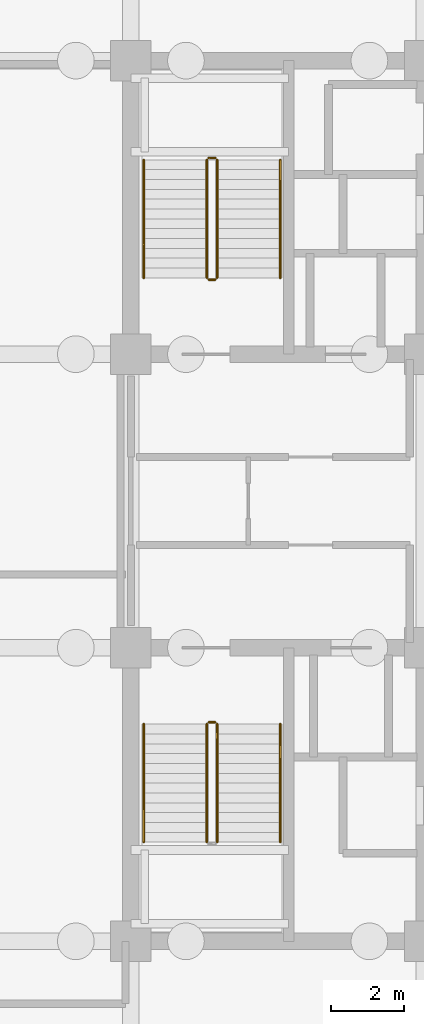
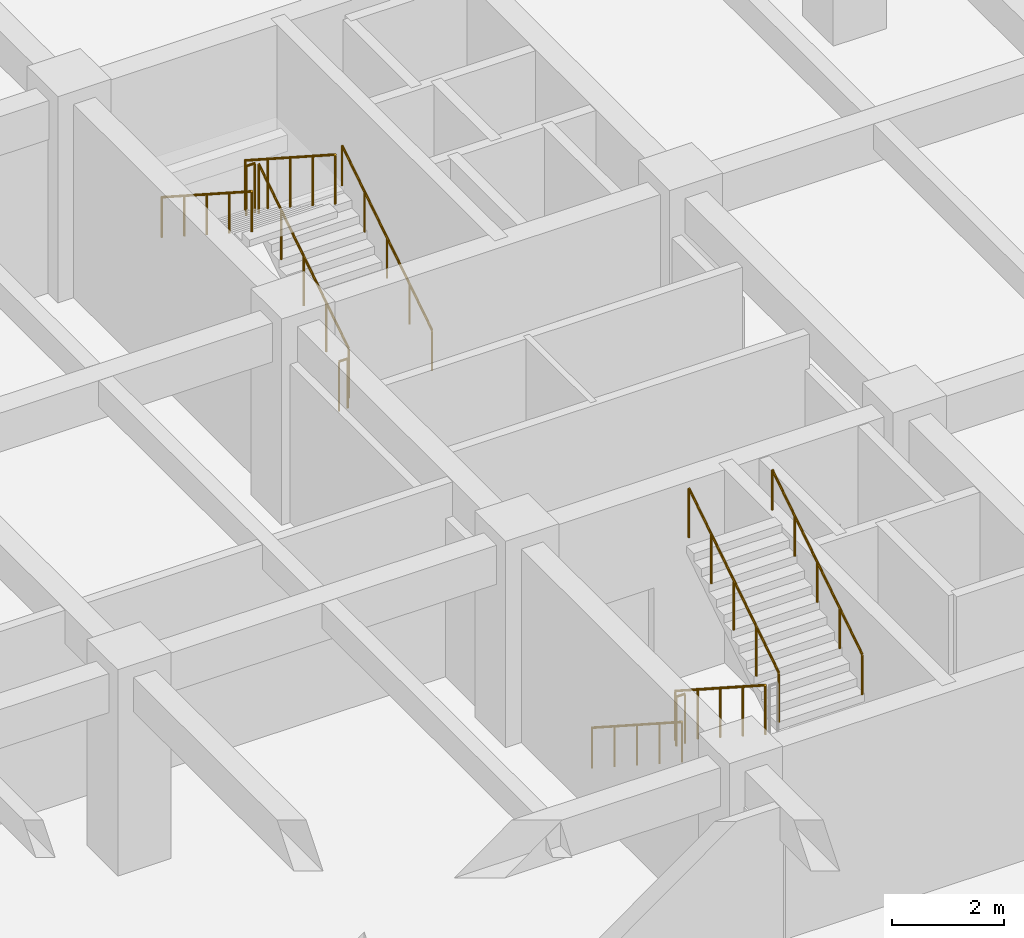
# One storey, part 13 of 15: 11 railings.
"""IFC4 building model written with IfcOpenShell, lengths in metres."""

from ifc_helpers import new_model, si_unit, direction, frame, origin, origin_2d, place, context, subcontext, project, spatial, circle, extrude, material, type_object, element, save


model = new_model("IFC4")

# Units and contexts
model_context = context("Model", 3, precision=1e-05, world=origin(), true_north=direction((0.0, 1.0)))
body_context = subcontext(model_context, "Body", "Model", "MODEL_VIEW")
ifc_project = project(units=[si_unit("LENGTHUNIT", "METRE"), si_unit("AREAUNIT", "SQUARE_METRE"), si_unit("VOLUMEUNIT", "CUBIC_METRE"), si_unit("PLANEANGLEUNIT", "RADIAN"), si_unit("MASSUNIT", "GRAM", prefix="KILO")], contexts=[model_context])

# Site, building, storey
site_placement = place(None, origin())
site = spatial("IfcSite", under=ifc_project, at=site_placement, CompositionType="ELEMENT")
building_placement = place(site_placement, origin())
building = spatial("IfcBuilding", under=site, at=building_placement, Name="Canggui Botanical Conservatory", CompositionType="ELEMENT")
storey_placement = place(building_placement, frame((0.0, 0.0, -9.0)))
storey = spatial("IfcBuildingStorey", under=building, at=storey_placement, Name="B2", CompositionType="ELEMENT", Elevation=-9.0)

# Railings
ifc_material = material(Name="Stainless Steel 304", Category="steel")
railing_type_1 = type_object("IfcRailingType", Name="RAIL-GUARD-1100", PredefinedType="BALUSTRADE", material=ifc_material)
railing_1_placement = place(storey_placement, frame((156.070068359375, 47.919921875, 0.173095703125)))
element("IfcRailing", 1, at=railing_1_placement, inside=storey, type_object=railing_type_1, Name="B2 ST-T1 stair guard 1", PredefinedType="BALUSTRADE", context=body_context, shape_type="SweptSolid", body=[
    extrude(circle(Radius=0.02392578125, at=origin_2d()), frame((0.0, 0.0, 1.076171875), z_axis=(0.0, -0.840036955699, 0.542529181759), x_axis=(1.0, 0.0, 0.0)), (0.0, 0.0, 1.0), 3.828125),
    extrude(circle(Radius=0.02099609375, at=origin_2d()), origin(), (0.0, 0.0, 1.0), 1.052001953125),
    extrude(circle(Radius=0.02099609375, at=origin_2d()), frame((0.0, -0.803955078125, 0.519287109375)), (0.0, 0.0, 1.0), 1.052001953125),
    extrude(circle(Radius=0.02099609375, at=origin_2d()), frame((0.0, -1.60791015625, 1.03857421875)), (0.0, 0.0, 1.0), 1.052001953125),
    extrude(circle(Radius=0.02099609375, at=origin_2d()), frame((0.0, -2.411865234375, 1.5576171875)), (0.0, 0.0, 1.0), 1.052001953125),
    extrude(circle(Radius=0.02099609375, at=origin_2d()), frame((0.0, -3.2158203125, 2.076904296875)), (0.0, 0.0, 1.0), 1.052001953125),
])
railing_2_placement = place(storey_placement, frame((156.35009765625, 44.7041015625, 2.423095703125)))
element("IfcRailing", 2, at=railing_2_placement, inside=storey, type_object=railing_type_1, Name="B2 ST-T1 stair guard 3", PredefinedType="BALUSTRADE", context=body_context, shape_type="SweptSolid", body=[
    extrude(circle(Radius=0.02392578125, at=origin_2d()), frame((0.0, 0.0, 1.076171875), z_axis=(0.0, 0.840036955699, 0.542529181759), x_axis=(-1.0, 0.0, 0.0)), (0.0, 0.0, 1.0), 3.828125),
    extrude(circle(Radius=0.02099609375, at=origin_2d()), origin(), (0.0, 0.0, 1.0), 1.052001953125),
    extrude(circle(Radius=0.02099609375, at=origin_2d()), frame((0.0, 0.803955078125, 0.519287109375)), (0.0, 0.0, 1.0), 1.052001953125),
    extrude(circle(Radius=0.02099609375, at=origin_2d()), frame((0.0, 1.60791015625, 1.03857421875)), (0.0, 0.0, 1.0), 1.052001953125),
    extrude(circle(Radius=0.02099609375, at=origin_2d()), frame((0.0, 2.411865234375, 1.5576171875)), (0.0, 0.0, 1.0), 1.052001953125),
    extrude(circle(Radius=0.02099609375, at=origin_2d()), frame((0.0, 3.2158203125, 2.076904296875)), (0.0, 0.0, 1.0), 1.052001953125),
])
railing_3_placement = place(storey_placement, frame((156.1201171875, 47.969970703125, 0.0)))
element("IfcRailing", 3, at=railing_3_placement, inside=storey, type_object=railing_type_1, Name="B2 ST-T1 stair guard 4", PredefinedType="BALUSTRADE", context=body_context, shape_type="SweptSolid", body=[
    extrude(circle(Radius=0.02392578125, at=origin_2d()), frame((0.0, 0.0, 1.076171875), z_axis=(1.0, 0.0, 0.0), x_axis=(0.0, 1.0, 0.0)), (0.0, 0.0, 1.0), 0.179931640625),
    extrude(circle(Radius=0.02099609375, at=origin_2d()), origin(), (0.0, 0.0, 1.0), 1.052001953125),
    extrude(circle(Radius=0.02099609375, at=origin_2d()), frame((0.179931640625, 0.0, 0.0)), (0.0, 0.0, 1.0), 1.052001953125),
])
railing_4_placement = place(storey_placement, frame((156.35009765625, 60.080078125, 0.173095703125)))
element("IfcRailing", 4, at=railing_4_placement, inside=storey, type_object=railing_type_1, Name="B2 ST-T2 stair guard 1", PredefinedType="BALUSTRADE", context=body_context, shape_type="SweptSolid", body=[
    extrude(circle(Radius=0.02392578125, at=origin_2d()), frame((0.0, 0.0, 1.076171875), z_axis=(0.0, 0.840036955699, 0.542529181759), x_axis=(-1.0, 0.0, 0.0)), (0.0, 0.0, 1.0), 3.828125),
    extrude(circle(Radius=0.02099609375, at=origin_2d()), origin(), (0.0, 0.0, 1.0), 1.052001953125),
    extrude(circle(Radius=0.02099609375, at=origin_2d()), frame((0.0, 0.803955078125, 0.519287109375)), (0.0, 0.0, 1.0), 1.052001953125),
    extrude(circle(Radius=0.02099609375, at=origin_2d()), frame((0.0, 1.60791015625, 1.03857421875)), (0.0, 0.0, 1.0), 1.052001953125),
    extrude(circle(Radius=0.02099609375, at=origin_2d()), frame((0.0, 2.411865234375, 1.5576171875)), (0.0, 0.0, 1.0), 1.052001953125),
    extrude(circle(Radius=0.02099609375, at=origin_2d()), frame((0.0, 3.2158203125, 2.076904296875)), (0.0, 0.0, 1.0), 1.052001953125),
])
railing_5_placement = place(storey_placement, frame((156.300048828125, 63.345947265625, 2.25)))
element("IfcRailing", 5, at=railing_5_placement, inside=storey, type_object=railing_type_1, Name="B2 ST-T2 stair guard 2", PredefinedType="BALUSTRADE", context=body_context, shape_type="SweptSolid", body=[
    extrude(circle(Radius=0.02392578125, at=origin_2d()), frame((0.0, 0.0, 1.076171875), z_axis=(-1.0, 0.0, 0.0), x_axis=(0.0, -1.0, 0.0)), (0.0, 0.0, 1.0), 0.179931640625),
    extrude(circle(Radius=0.02099609375, at=origin_2d()), origin(), (0.0, 0.0, 1.0), 1.052001953125),
    extrude(circle(Radius=0.02099609375, at=origin_2d()), frame((-0.179931640625, 0.0, 0.0)), (0.0, 0.0, 1.0), 1.052001953125),
])
railing_6_placement = place(storey_placement, frame((156.070068359375, 63.2958984375, 2.423095703125)))
element("IfcRailing", 6, at=railing_6_placement, inside=storey, type_object=railing_type_1, Name="B2 ST-T2 stair guard 3", PredefinedType="BALUSTRADE", context=body_context, shape_type="SweptSolid", body=[
    extrude(circle(Radius=0.02392578125, at=origin_2d()), frame((0.0, 0.0, 1.076171875), z_axis=(0.0, -0.840036955699, 0.542529181759), x_axis=(1.0, 0.0, 0.0)), (0.0, 0.0, 1.0), 3.828125),
    extrude(circle(Radius=0.02099609375, at=origin_2d()), origin(), (0.0, 0.0, 1.0), 1.052001953125),
    extrude(circle(Radius=0.02099609375, at=origin_2d()), frame((0.0, -0.803955078125, 0.519287109375)), (0.0, 0.0, 1.0), 1.052001953125),
    extrude(circle(Radius=0.02099609375, at=origin_2d()), frame((0.0, -1.60791015625, 1.03857421875)), (0.0, 0.0, 1.0), 1.052001953125),
    extrude(circle(Radius=0.02099609375, at=origin_2d()), frame((0.0, -2.411865234375, 1.5576171875)), (0.0, 0.0, 1.0), 1.052001953125),
    extrude(circle(Radius=0.02099609375, at=origin_2d()), frame((0.0, -3.2158203125, 2.076904296875)), (0.0, 0.0, 1.0), 1.052001953125),
])
railing_7_placement = place(storey_placement, frame((156.300048828125, 60.030029296875, 0.0)))
element("IfcRailing", 7, at=railing_7_placement, inside=storey, type_object=railing_type_1, Name="B2 ST-T2 stair guard 4", PredefinedType="BALUSTRADE", context=body_context, shape_type="SweptSolid", body=[
    extrude(circle(Radius=0.02392578125, at=origin_2d()), frame((0.0, 0.0, 1.076171875), z_axis=(-1.0, 0.0, 0.0), x_axis=(0.0, -1.0, 0.0)), (0.0, 0.0, 1.0), 0.179931640625),
    extrude(circle(Radius=0.02099609375, at=origin_2d()), origin(), (0.0, 0.0, 1.0), 1.052001953125),
    extrude(circle(Radius=0.02099609375, at=origin_2d()), frame((-0.179931640625, 0.0, 0.0)), (0.0, 0.0, 1.0), 1.052001953125),
])
railing_type_2 = type_object("IfcRailingType", Name="RAIL-HAND-900", PredefinedType="HANDRAIL", material=ifc_material)
railing_8_placement = place(storey_placement, frame((154.35009765625, 47.919921875, 0.173095703125)))
element("IfcRailing", 8, at=railing_8_placement, inside=storey, type_object=railing_type_2, Name="B2 ST-T1 stair handrail 1", PredefinedType="HANDRAIL", context=body_context, shape_type="SweptSolid", body=[
    extrude(circle(Radius=0.02392578125, at=origin_2d()), frame((0.0, 0.0, 0.8759765625), z_axis=(0.0, -0.840036955699, 0.542529181759), x_axis=(1.0, 0.0, 0.0)), (0.0, 0.0, 1.0), 3.828125),
    extrude(circle(Radius=0.02099609375, at=origin_2d()), origin(), (0.0, 0.0, 1.0), 0.851806640625),
    extrude(circle(Radius=0.02099609375, at=origin_2d()), frame((0.0, -0.803955078125, 0.519287109375)), (0.0, 0.0, 1.0), 0.851806640625),
    extrude(circle(Radius=0.02099609375, at=origin_2d()), frame((0.0, -1.60791015625, 1.03857421875)), (0.0, 0.0, 1.0), 0.851806640625),
    extrude(circle(Radius=0.02099609375, at=origin_2d()), frame((0.0, -2.411865234375, 1.5576171875)), (0.0, 0.0, 1.0), 0.851806640625),
    extrude(circle(Radius=0.02099609375, at=origin_2d()), frame((0.0, -3.2158203125, 2.076904296875)), (0.0, 0.0, 1.0), 0.851806640625),
])
for number, where, name in (
    (9, (158.070068359375, 44.7041015625, 2.423095703125), "B2 ST-T1 stair handrail 2"),
    (10, (158.070068359375, 60.080078125, 0.173095703125), "B2 ST-T2 stair handrail 1"),
):
    element("IfcRailing", number, at=place(storey_placement, frame(where)), inside=storey, type_object=railing_type_2, Name=name, PredefinedType="HANDRAIL", context=body_context, shape_type="SweptSolid", body=[
        extrude(circle(Radius=0.02392578125, at=origin_2d()), frame((0.0, 0.0, 0.8759765625), z_axis=(0.0, 0.840036955699, 0.542529181759), x_axis=(-1.0, 0.0, 0.0)), (0.0, 0.0, 1.0), 3.828125),
        extrude(circle(Radius=0.02099609375, at=origin_2d()), origin(), (0.0, 0.0, 1.0), 0.851806640625),
        extrude(circle(Radius=0.02099609375, at=origin_2d()), frame((0.0, 0.803955078125, 0.519287109375)), (0.0, 0.0, 1.0), 0.851806640625),
        extrude(circle(Radius=0.02099609375, at=origin_2d()), frame((0.0, 1.60791015625, 1.03857421875)), (0.0, 0.0, 1.0), 0.851806640625),
        extrude(circle(Radius=0.02099609375, at=origin_2d()), frame((0.0, 2.411865234375, 1.5576171875)), (0.0, 0.0, 1.0), 0.851806640625),
        extrude(circle(Radius=0.02099609375, at=origin_2d()), frame((0.0, 3.2158203125, 2.076904296875)), (0.0, 0.0, 1.0), 0.851806640625),
    ])
railing_9_placement = place(storey_placement, frame((154.35009765625, 63.2958984375, 2.423095703125)))
element("IfcRailing", 11, at=railing_9_placement, inside=storey, type_object=railing_type_2, Name="B2 ST-T2 stair handrail 2", PredefinedType="HANDRAIL", context=body_context, shape_type="SweptSolid", body=[
    extrude(circle(Radius=0.02392578125, at=origin_2d()), frame((0.0, 0.0, 0.8759765625), z_axis=(0.0, -0.840036955699, 0.542529181759), x_axis=(1.0, 0.0, 0.0)), (0.0, 0.0, 1.0), 3.828125),
    extrude(circle(Radius=0.02099609375, at=origin_2d()), origin(), (0.0, 0.0, 1.0), 0.851806640625),
    extrude(circle(Radius=0.02099609375, at=origin_2d()), frame((0.0, -0.803955078125, 0.519287109375)), (0.0, 0.0, 1.0), 0.851806640625),
    extrude(circle(Radius=0.02099609375, at=origin_2d()), frame((0.0, -1.60791015625, 1.03857421875)), (0.0, 0.0, 1.0), 0.851806640625),
    extrude(circle(Radius=0.02099609375, at=origin_2d()), frame((0.0, -2.411865234375, 1.5576171875)), (0.0, 0.0, 1.0), 0.851806640625),
    extrude(circle(Radius=0.02099609375, at=origin_2d()), frame((0.0, -3.2158203125, 2.076904296875)), (0.0, 0.0, 1.0), 0.851806640625),
])

save(model, "model.ifc")
